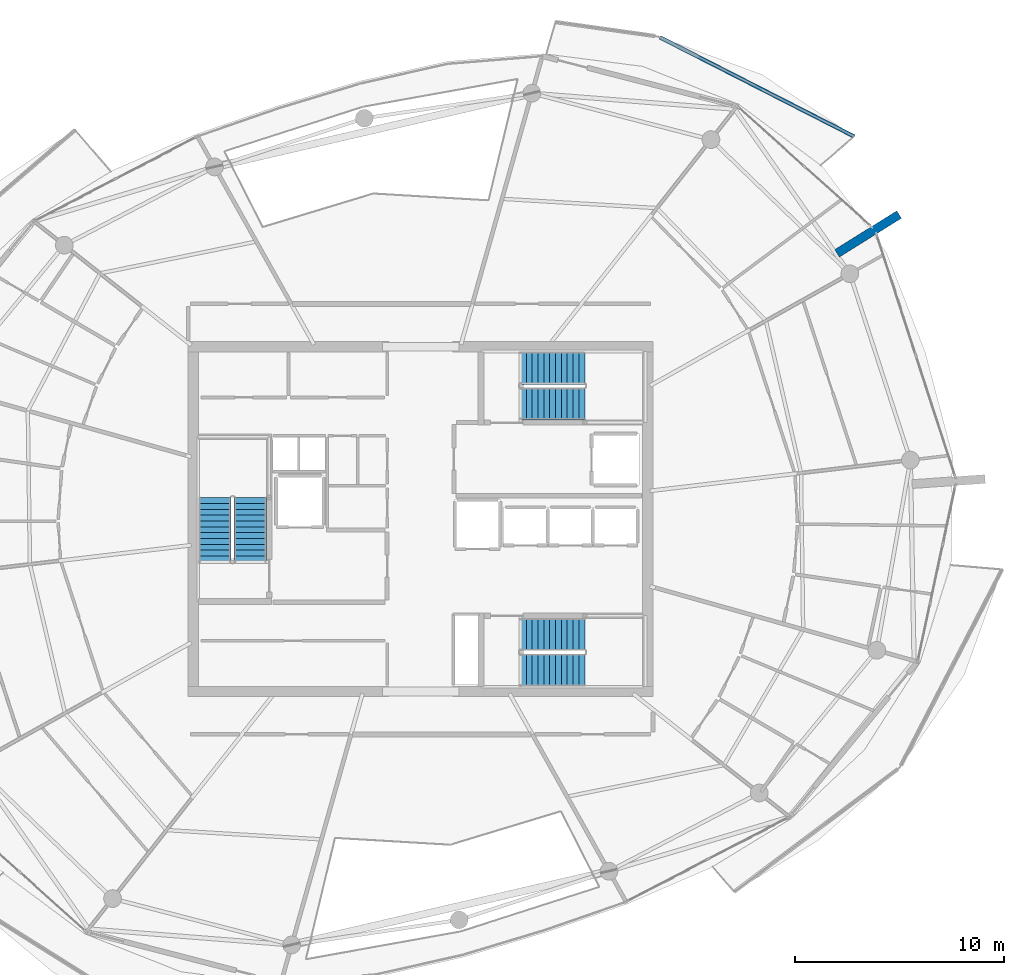
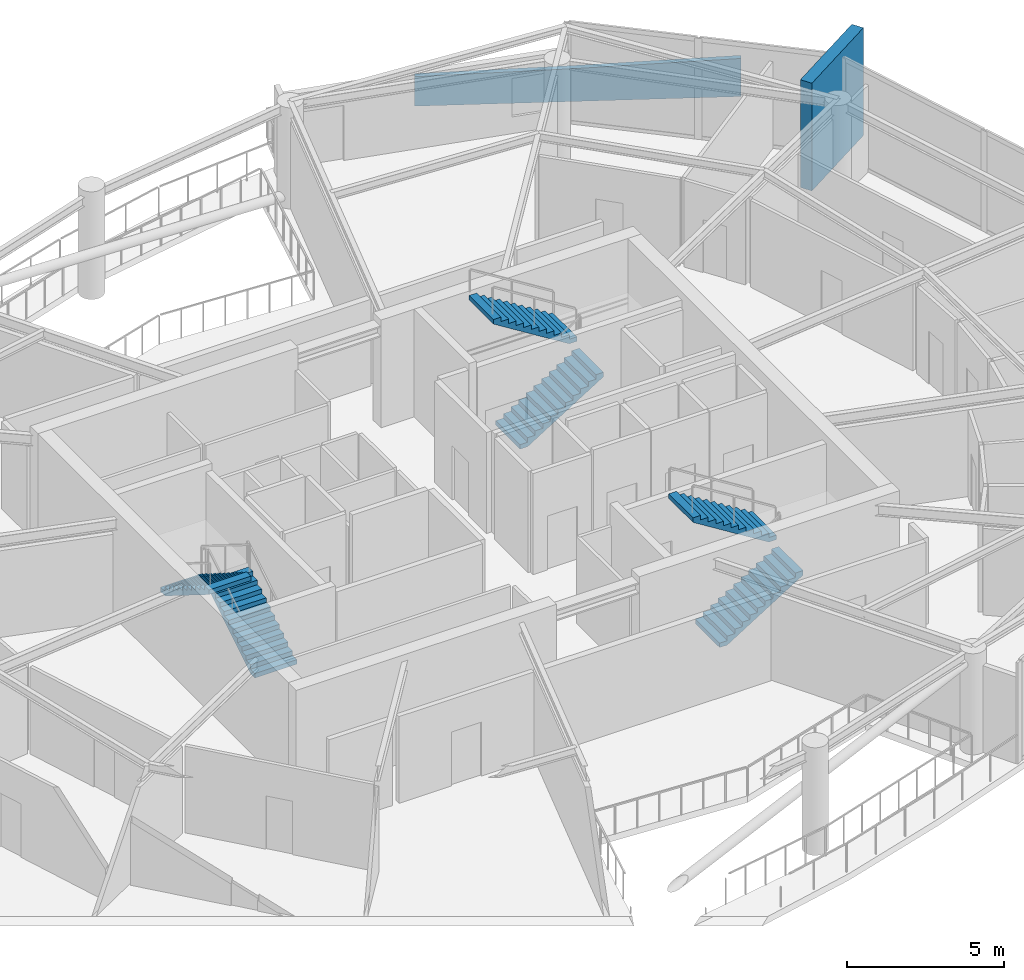
# One storey, part 17 of 22: 6 stair flights, 2 walls, 3 elements without a shape of their own.
"""IFC4 building model written with IfcOpenShell, lengths in metres."""

from ifc_helpers import new_model, si_unit, direction, frame, frame_2d, origin, place, context, subcontext, project, spatial, polyline, rectangle, outline, extrude, material, layer, layer_set, type_object, element, aggregate, save


model = new_model("IFC4")

# Units and contexts
model_context = context("Model", 3, precision=1e-05, world=origin(), true_north=direction((0.0, 1.0)))
body_context = subcontext(model_context, "Body", "Model", "MODEL_VIEW")
ifc_project = project(units=[si_unit("LENGTHUNIT", "METRE"), si_unit("AREAUNIT", "SQUARE_METRE"), si_unit("VOLUMEUNIT", "CUBIC_METRE"), si_unit("PLANEANGLEUNIT", "RADIAN"), si_unit("MASSUNIT", "GRAM", prefix="KILO")], contexts=[model_context])

# Site, building, storey
site_placement = place(None, origin())
site = spatial("IfcSite", under=ifc_project, at=site_placement, CompositionType="ELEMENT")
building_placement = place(site_placement, origin())
building = spatial("IfcBuilding", under=site, at=building_placement, Name="Kazma Halo Residences", CompositionType="ELEMENT")
storey_placement = place(building_placement, frame((0.0, 0.0, 334.699951171875)))
storey = spatial("IfcBuildingStorey", under=building, at=storey_placement, Name="L84", CompositionType="ELEMENT", Elevation=334.699951171875)

# Walls
ifc_material_1 = material(Name="White Concrete C50/60 Balustrade", Category="concrete")
ifc_layer_1 = layer(ifc_material_1, 0.179931640625)
ifc_layer_set_1 = layer_set([ifc_layer_1], Name="White Concrete C50/60 Balustrade")
wall_type_1 = type_object("IfcWallType", Name="WL-BAL-WAVE-180", PredefinedType="PARAPET", material=ifc_layer_set_1)
wall_1_placement = place(storey_placement, frame((69.1728515625, 60.30810546875, 0.0), z_axis=(0.0, 0.0, 1.0), x_axis=(-0.890680467367, 0.454629854993, 0.0)))
element("IfcWall", 1, at=wall_1_placement, inside=storey, type_object=wall_type_1, Name="L84 white wave balustrade wall NE.1", PredefinedType="PARAPET", context=body_context, shape_type="SweptSolid", body=[
    extrude(outline(polyline([(0.0, 0.0), (10.43359375, 0.0), (10.433349609375, 1.14794921875), (5.216796875, 1.283935546875), (0.0, 1.483154296875), (0.0, 0.0)])), frame((0.0, 0.08984375, 0.0), z_axis=(0.0, -1.0, 0.0), x_axis=(1.0, 0.0, 0.0)), (0.0, 0.0, 1.0), 0.179931640625),
])
ifc_material_2 = material(Name="Pale Concrete C60/75", Category="concrete")
ifc_layer_2 = layer(ifc_material_2, 0.419921875)
ifc_layer_set_2 = layer_set([ifc_layer_2], Name="Pale Concrete C60/75")
wall_type_2 = type_object("IfcWallType", Name="WL-BLADE-420", PredefinedType="SOLIDWALL", material=ifc_layer_set_2)
wall_2_placement = place(storey_placement, frame((68.3525390625, 54.7177734375, 0.0), z_axis=(0.0, 0.0, 1.0), x_axis=(0.848053161125, 0.529911158502, 0.0)))
element("IfcWall", 2, at=wall_2_placement, inside=storey, type_object=wall_type_2, Name="L84 pale concrete structural blade fin wall BW-01", PredefinedType="SOLIDWALL", context=body_context, shape_type="SweptSolid", body=[
    extrude(rectangle(XDim=3.5, YDim=0.419921875, at=frame_2d((1.75, 0.0))), origin(), (0.0, 0.0, 1.0), 4.199951171875),
])

# Stair, stair flights
ifc_material_3 = material(Name="Concrete C50/60", Category="concrete")
stair_type = type_object("IfcStairType", Name="STR-RES2", PredefinedType="HALF_TURN_STAIR", material=ifc_material_3)
stair_1_placement = place(storey_placement, origin())
stair_1 = element("IfcStair", 3, at=stair_1_placement, inside=storey, type_object=stair_type, Name="L84 Core exit stair ST-01", PredefinedType="HALF_TURN_STAIR")
stair_flight_type = type_object("IfcStairFlightType", Name="STR-RES2-FLT", PredefinedType="STRAIGHT", material=ifc_material_3)
stair_flight_1_placement = place(storey_placement, frame((40.27490234375, 39.949951171875, 0.0), z_axis=(0.0, 0.0, 1.0), x_axis=(0.0, 1.0, 0.0)))
stair_flight_1 = element("IfcStairFlight", 4, at=stair_flight_1_placement, type_object=stair_flight_type, Name="ST-01 flight 1", NumberOfRisers=12, NumberOfTreads=11, PredefinedType="STRAIGHT", RiserHeight=0.175, TreadLength=0.28, context=body_context, shape_type="SweptSolid", body=[
    extrude(outline(polyline([(0.0, 0.0), (0.0, 0.175048828125), (0.280029296875, 0.175048828125), (0.280029296875, 0.35009765625), (0.56005859375, 0.35009765625), (0.56005859375, 0.52490234375), (0.840087890625, 0.52490234375), (0.840087890625, 0.699951171875), (1.1201171875, 0.699951171875), (1.1201171875, 0.875), (1.39990234375, 0.875), (1.39990234375, 1.050048828125), (1.679931640625, 1.050048828125), (1.679931640625, 1.22509765625), (1.9599609375, 1.22509765625), (1.9599609375, 1.39990234375), (2.239990234375, 1.39990234375), (2.239990234375, 1.574951171875), (2.52001953125, 1.574951171875), (2.52001953125, 1.75), (2.800048828125, 1.75), (2.800048828125, 1.925048828125), (3.080078125, 1.925048828125), (3.080078125, 2.10009765625), (3.080078125, 1.748291015625), (0.28271484375, 0.0), (0.0, 0.0)])), frame((0.0, 0.77490234375, 0.0), z_axis=(0.0, -1.0, 0.0), x_axis=(1.0, 0.0, 0.0)), (0.0, 0.0, 1.0), 1.550048828125),
])
stair_flight_2_placement = place(storey_placement, frame((38.574951171875, 43.030029296875, 2.10009765625), z_axis=(0.0, 0.0, 1.0), x_axis=(0.0, -1.0, 0.0)))
stair_flight_2 = element("IfcStairFlight", 5, at=stair_flight_2_placement, type_object=stair_flight_type, Name="ST-01 flight 2", NumberOfRisers=12, NumberOfTreads=11, PredefinedType="STRAIGHT", RiserHeight=0.175, TreadLength=0.28, context=body_context, shape_type="SweptSolid", body=[
    extrude(outline(polyline([(0.0, 0.0), (0.0, 0.175048828125), (0.280029296875, 0.175048828125), (0.280029296875, 0.35009765625), (0.56005859375, 0.35009765625), (0.56005859375, 0.52490234375), (0.840087890625, 0.52490234375), (0.840087890625, 0.699951171875), (1.1201171875, 0.699951171875), (1.1201171875, 0.875), (1.39990234375, 0.875), (1.39990234375, 1.050048828125), (1.679931640625, 1.050048828125), (1.679931640625, 1.22509765625), (1.9599609375, 1.22509765625), (1.9599609375, 1.39990234375), (2.239990234375, 1.39990234375), (2.239990234375, 1.574951171875), (2.52001953125, 1.574951171875), (2.52001953125, 1.75), (2.800048828125, 1.75), (2.800048828125, 1.925048828125), (3.080078125, 1.925048828125), (3.080078125, 2.10009765625), (3.080078125, 1.748291015625), (0.28271484375, 0.0), (0.0, 0.0)])), frame((0.0, 0.77490234375, 0.0), z_axis=(0.0, -1.0, 0.0), x_axis=(1.0, 0.0, 0.0)), (0.0, 0.0, 1.0), 1.550048828125),
])
aggregate(stair_1, [stair_flight_1, stair_flight_2])

stair_2_placement = place(storey_placement, origin())
stair_2 = element("IfcStair", 6, at=stair_2_placement, inside=storey, type_object=stair_type, Name="L84 Core exit stair ST-02", PredefinedType="HALF_TURN_STAIR")
stair_flight_3_placement = place(storey_placement, frame((53.199951171875, 47.52490234375, 0.0), z_axis=(0.0, 0.0, 1.0), x_axis=(1.0, 0.0, 0.0)))
stair_flight_3 = element("IfcStairFlight", 7, at=stair_flight_3_placement, type_object=stair_flight_type, Name="ST-02 flight 1", NumberOfRisers=12, NumberOfTreads=11, PredefinedType="STRAIGHT", RiserHeight=0.175, TreadLength=0.28, context=body_context, shape_type="SweptSolid", body=[
    extrude(outline(polyline([(0.0, 0.0), (0.0, 0.175048828125), (0.280029296875, 0.175048828125), (0.280029296875, 0.35009765625), (0.56005859375, 0.35009765625), (0.56005859375, 0.52490234375), (0.840087890625, 0.52490234375), (0.840087890625, 0.699951171875), (1.1201171875, 0.699951171875), (1.1201171875, 0.875), (1.39990234375, 0.875), (1.39990234375, 1.050048828125), (1.679931640625, 1.050048828125), (1.679931640625, 1.22509765625), (1.9599609375, 1.22509765625), (1.9599609375, 1.39990234375), (2.239990234375, 1.39990234375), (2.239990234375, 1.574951171875), (2.52001953125, 1.574951171875), (2.52001953125, 1.75), (2.800048828125, 1.75), (2.800048828125, 1.925048828125), (3.080078125, 1.925048828125), (3.080078125, 2.10009765625), (3.080078125, 1.748291015625), (0.28271484375, 0.0), (0.0, 0.0)])), frame((0.0, 0.77490234375, 0.0), z_axis=(0.0, -1.0, 0.0), x_axis=(1.0, 0.0, 0.0)), (0.0, 0.0, 1.0), 1.550048828125),
])
stair_flight_4_placement = place(storey_placement, frame((56.280029296875, 49.22509765625, 2.10009765625), z_axis=(0.0, 0.0, 1.0), x_axis=(-1.0, 0.0, 0.0)))
stair_flight_4 = element("IfcStairFlight", 8, at=stair_flight_4_placement, type_object=stair_flight_type, Name="ST-02 flight 2", NumberOfRisers=12, NumberOfTreads=11, PredefinedType="STRAIGHT", RiserHeight=0.175, TreadLength=0.28, context=body_context, shape_type="SweptSolid", body=[
    extrude(outline(polyline([(0.0, 0.0), (0.0, 0.175048828125), (0.280029296875, 0.175048828125), (0.280029296875, 0.35009765625), (0.56005859375, 0.35009765625), (0.56005859375, 0.52490234375), (0.840087890625, 0.52490234375), (0.840087890625, 0.699951171875), (1.1201171875, 0.699951171875), (1.1201171875, 0.875), (1.39990234375, 0.875), (1.39990234375, 1.050048828125), (1.679931640625, 1.050048828125), (1.679931640625, 1.22509765625), (1.9599609375, 1.22509765625), (1.9599609375, 1.39990234375), (2.239990234375, 1.39990234375), (2.239990234375, 1.574951171875), (2.52001953125, 1.574951171875), (2.52001953125, 1.75), (2.800048828125, 1.75), (2.800048828125, 1.925048828125), (3.080078125, 1.925048828125), (3.080078125, 2.10009765625), (3.080078125, 1.748291015625), (0.28271484375, 0.0), (0.0, 0.0)])), frame((0.0, 0.77490234375, 0.0), z_axis=(0.0, -1.0, 0.0), x_axis=(1.0, 0.0, 0.0)), (0.0, 0.0, 1.0), 1.550048828125),
])
aggregate(stair_2, [stair_flight_3, stair_flight_4])

stair_3_placement = place(storey_placement, origin())
stair_3 = element("IfcStair", 9, at=stair_3_placement, inside=storey, type_object=stair_type, Name="L84 Core exit stair ST-03", PredefinedType="HALF_TURN_STAIR")
stair_flight_5_placement = place(storey_placement, frame((53.199951171875, 34.77490234375, 0.0), z_axis=(0.0, 0.0, 1.0), x_axis=(1.0, 0.0, 0.0)))
stair_flight_5 = element("IfcStairFlight", 10, at=stair_flight_5_placement, type_object=stair_flight_type, Name="ST-03 flight 1", NumberOfRisers=12, NumberOfTreads=11, PredefinedType="STRAIGHT", RiserHeight=0.175, TreadLength=0.28, context=body_context, shape_type="SweptSolid", body=[
    extrude(outline(polyline([(0.0, 0.0), (0.0, 0.175048828125), (0.280029296875, 0.175048828125), (0.280029296875, 0.35009765625), (0.56005859375, 0.35009765625), (0.56005859375, 0.52490234375), (0.840087890625, 0.52490234375), (0.840087890625, 0.699951171875), (1.1201171875, 0.699951171875), (1.1201171875, 0.875), (1.39990234375, 0.875), (1.39990234375, 1.050048828125), (1.679931640625, 1.050048828125), (1.679931640625, 1.22509765625), (1.9599609375, 1.22509765625), (1.9599609375, 1.39990234375), (2.239990234375, 1.39990234375), (2.239990234375, 1.574951171875), (2.52001953125, 1.574951171875), (2.52001953125, 1.75), (2.800048828125, 1.75), (2.800048828125, 1.925048828125), (3.080078125, 1.925048828125), (3.080078125, 2.10009765625), (3.080078125, 1.748291015625), (0.28271484375, 0.0), (0.0, 0.0)])), frame((0.0, 0.77490234375, 0.0), z_axis=(0.0, -1.0, 0.0), x_axis=(1.0, 0.0, 0.0)), (0.0, 0.0, 1.0), 1.550048828125),
])
stair_flight_6_placement = place(storey_placement, frame((56.280029296875, 36.47509765625, 2.10009765625), z_axis=(0.0, 0.0, 1.0), x_axis=(-1.0, 0.0, 0.0)))
stair_flight_6 = element("IfcStairFlight", 11, at=stair_flight_6_placement, type_object=stair_flight_type, Name="ST-03 flight 2", NumberOfRisers=12, NumberOfTreads=11, PredefinedType="STRAIGHT", RiserHeight=0.175, TreadLength=0.28, context=body_context, shape_type="SweptSolid", body=[
    extrude(outline(polyline([(0.0, 0.0), (0.0, 0.175048828125), (0.280029296875, 0.175048828125), (0.280029296875, 0.35009765625), (0.56005859375, 0.35009765625), (0.56005859375, 0.52490234375), (0.840087890625, 0.52490234375), (0.840087890625, 0.699951171875), (1.1201171875, 0.699951171875), (1.1201171875, 0.875), (1.39990234375, 0.875), (1.39990234375, 1.050048828125), (1.679931640625, 1.050048828125), (1.679931640625, 1.22509765625), (1.9599609375, 1.22509765625), (1.9599609375, 1.39990234375), (2.239990234375, 1.39990234375), (2.239990234375, 1.574951171875), (2.52001953125, 1.574951171875), (2.52001953125, 1.75), (2.800048828125, 1.75), (2.800048828125, 1.925048828125), (3.080078125, 1.925048828125), (3.080078125, 2.10009765625), (3.080078125, 1.748291015625), (0.28271484375, 0.0), (0.0, 0.0)])), frame((0.0, 0.77490234375, 0.0), z_axis=(0.0, -1.0, 0.0), x_axis=(1.0, 0.0, 0.0)), (0.0, 0.0, 1.0), 1.550048828125),
])
aggregate(stair_3, [stair_flight_5, stair_flight_6])

save(model, "model.ifc")
